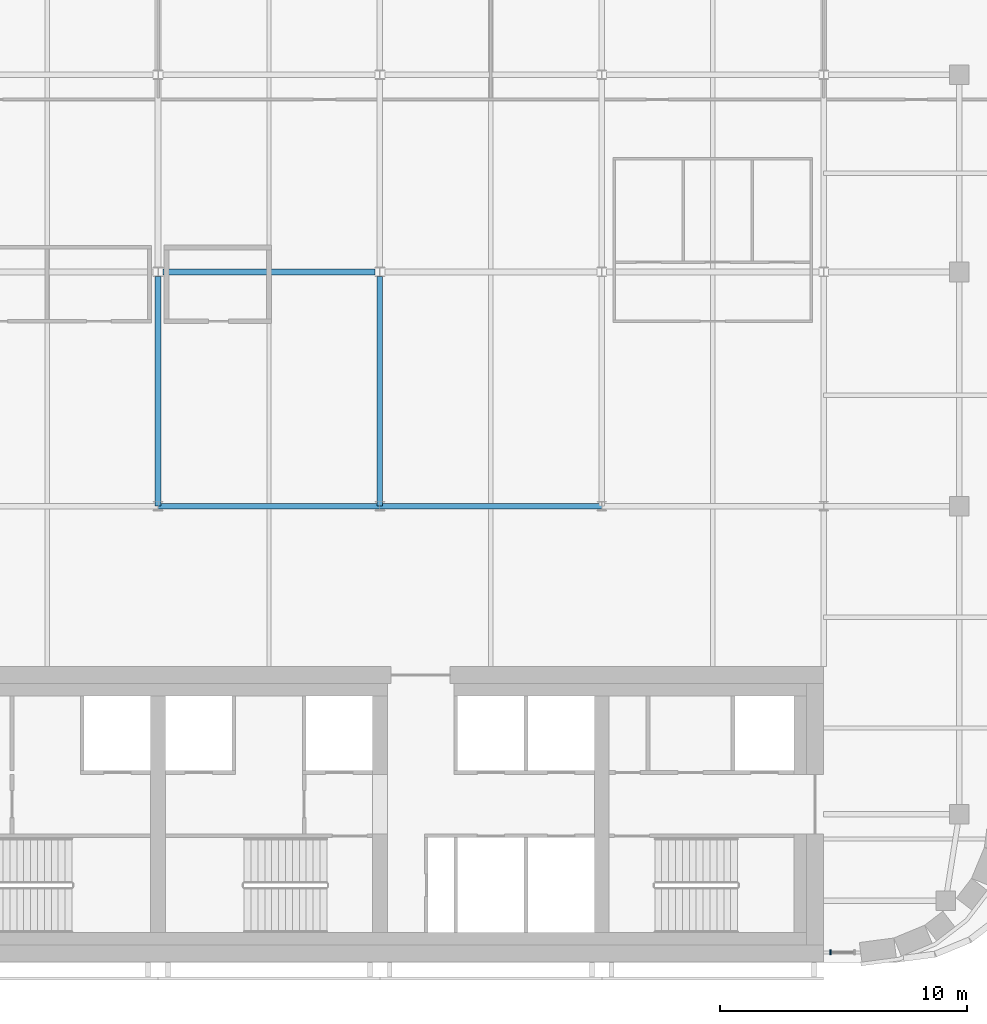
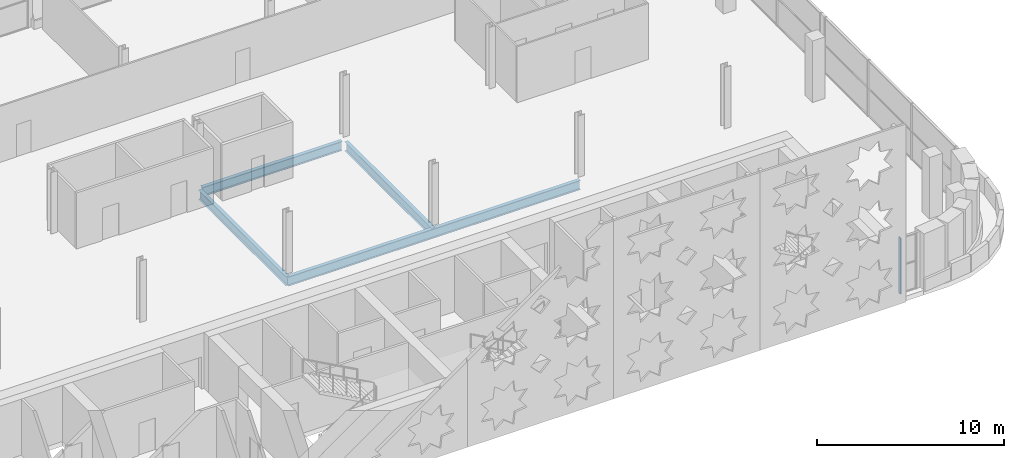
# One storey, part 7 of 25: 4 beams, 1 member, 1 element without a shape of its own.
"""IFC4 building model written with IfcOpenShell, lengths in metres."""

from ifc_helpers import new_model, si_unit, direction, frame, origin, origin_2d, place, context, subcontext, project, spatial, rectangle, i_section, extrude, material, material_profile, profile_set, type_object, element, aggregate, save


model = new_model("IFC4")

# Units and contexts
model_context = context("Model", 3, precision=1e-05, world=origin(), true_north=direction((0.0, 1.0)))
body_context = subcontext(model_context, "Body", "Model", "MODEL_VIEW")
ifc_project = project(units=[si_unit("LENGTHUNIT", "METRE"), si_unit("AREAUNIT", "SQUARE_METRE"), si_unit("VOLUMEUNIT", "CUBIC_METRE"), si_unit("PLANEANGLEUNIT", "RADIAN"), si_unit("MASSUNIT", "GRAM", prefix="KILO")], contexts=[model_context])

# Site, building, storey
site_placement = place(None, origin())
site = spatial("IfcSite", under=ifc_project, at=site_placement, CompositionType="ELEMENT")
building_placement = place(site_placement, origin())
building = spatial("IfcBuilding", under=site, at=building_placement, Name="Zellij Exchange Tower", CompositionType="ELEMENT")
storey_placement = place(building_placement, frame((0.0, 0.0, 264.5)))
storey = spatial("IfcBuildingStorey", under=building, at=storey_placement, Name="L62", CompositionType="ELEMENT", Elevation=264.5)

# Curtain wall, member
ifc_material_1 = material(Name="Aluminium frame, clear insulating glass", Category="aluminium")
curtain_wall_type = type_object("IfcCurtainWallType", Name="ENV-CW6 Sky-lobby glazing", PredefinedType="NOTDEFINED", material=ifc_material_1)
curtain_wall_placement = place(storey_placement, origin())
curtain_wall = element("IfcCurtainWall", 1, at=curtain_wall_placement, inside=storey, type_object=curtain_wall_type, Name="cw.L62.00b", PredefinedType="NOTDEFINED")
ifc_material_2 = material(Name="Aluminium", Category="aluminium")
ifc_material_profile_1 = material_profile(ifc_material_2, rectangle(XDim=0.06005859375, YDim=0.199951171875, at=origin_2d()), Name="AL 60x200")
ifc_profile_set_1 = profile_set([ifc_material_profile_1], Name="Aluminium")
member_type = type_object("IfcMemberType", Name="ENV-CW6M Mullion 60x200", PredefinedType="MULLION", material=ifc_profile_set_1)
member_placement = place(storey_placement, frame((27.280029296875, -13.60009765625, 0.0), z_axis=(0.0, 0.0, 1.0), x_axis=(1.0, 0.0, 0.0)))
member = element("IfcMember", 2, at=member_placement, type_object=member_type, Name="CW6 mullion 1", PredefinedType="MULLION", context=body_context, shape_type="SweptSolid", body=[
    extrude(rectangle(XDim=0.06005859375, YDim=0.199951171875, at=origin_2d()), origin(), (0.0, 0.0, 1.0), 3.64990234375),
])
aggregate(curtain_wall, [member])

# Beams
ifc_material_3 = material(Name="Structural steel ASTM A992 Gr 50", Category="steel")
ifc_material_profile_2 = material_profile(ifc_material_3, i_section(OverallWidth=0.228271484375, OverallDepth=0.607177734375, WebThickness=0.01123046875, FlangeThickness=0.017333984375, at=origin_2d()), Name="W24x76")
ifc_profile_set_2 = profile_set([ifc_material_profile_2], Name="Structural steel ASTM A992 Gr 50")
beam_type = type_object("IfcBeamType", Name="STR-GIRDER W24x76", PredefinedType="BEAM", material=ifc_profile_set_2)
beam_1_placement = place(storey_placement, frame((0.0, 4.5, -0.603515625), z_axis=(1.0, 0.0, 0.0), x_axis=(0.0, 1.0, 0.0)))
element("IfcBeam", 3, at=beam_1_placement, inside=storey, type_object=beam_type, Name="G2", PredefinedType="BEAM", context=body_context, shape_type="SweptSolid", body=[
    extrude(i_section(OverallWidth=0.228271484375, OverallDepth=0.607177734375, WebThickness=0.01123046875, FlangeThickness=0.017333984375, at=origin_2d()), origin(), (0.0, 0.0, 1.0), 18.0),
])
beam_2_placement = place(storey_placement, frame((0.199462890625, 14.0, -0.603515625), z_axis=(1.0, 0.0, 0.0), x_axis=(0.0, 1.0, 0.0)))
element("IfcBeam", 4, at=beam_2_placement, inside=storey, type_object=beam_type, Name="G2", PredefinedType="BEAM", context=body_context, shape_type="SweptSolid", body=[
    extrude(i_section(OverallWidth=0.228271484375, OverallDepth=0.607177734375, WebThickness=0.01123046875, FlangeThickness=0.017333984375, at=origin_2d()), origin(), (0.0, 0.0, 1.0), 8.60107421875),
])
for number, where, z_axis, x_axis, name in (
    (5, (0.0, 4.5, -0.603515625), (0.0, 1.0, 0.0), (-1.0, 0.0, 0.0), "G2"),
    (6, (9.0, 4.5, -0.603515625), (0.0, 1.0, 0.0), (-1.0, 0.0, 0.0), "G2"),
):
    element("IfcBeam", number, at=place(storey_placement, frame(where, z_axis=z_axis, x_axis=x_axis)), inside=storey, type_object=beam_type, Name=name, PredefinedType="BEAM", context=body_context, shape_type="SweptSolid", body=[
        extrude(i_section(OverallWidth=0.228271484375, OverallDepth=0.607177734375, WebThickness=0.01123046875, FlangeThickness=0.017333984375, at=origin_2d()), origin(), (0.0, 0.0, 1.0), 9.306884765625),
    ])

save(model, "model.ifc")
